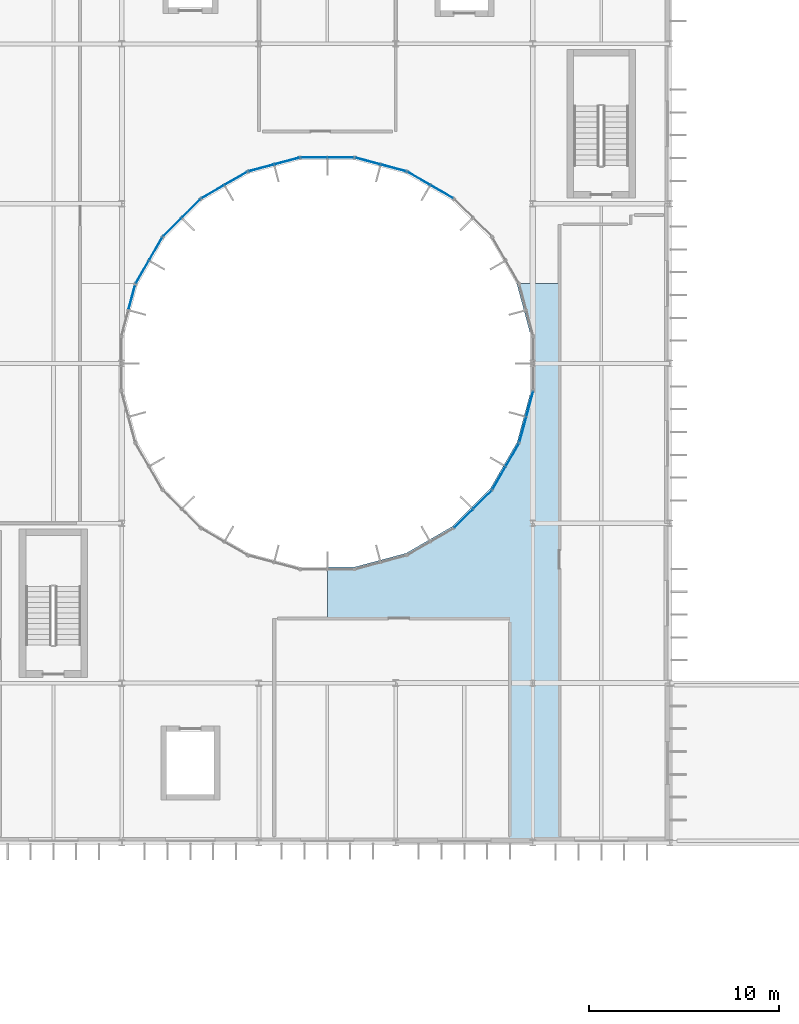
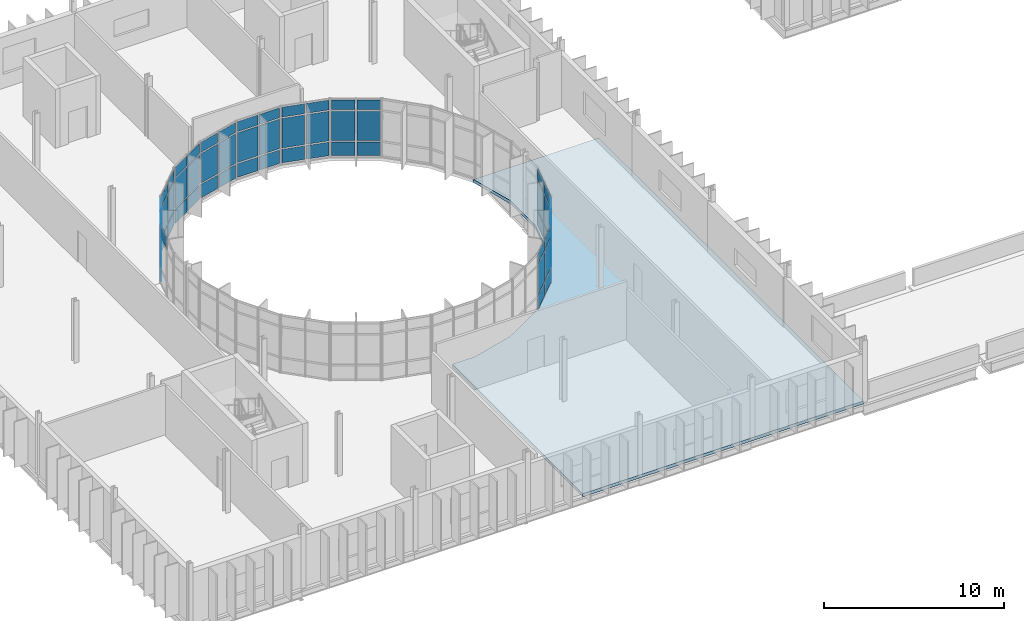
# One storey, part 34 of 61: 61 plates, 1 slab, 11 elements without a shape of their own.
"""IFC4 building model written with IfcOpenShell, lengths in metres."""

from ifc_helpers import new_model, si_unit, direction, frame, origin, origin_2d, place, context, subcontext, project, spatial, polyline, rectangle, outline, extrude, material, layer, layer_set, type_object, element, aggregate, save


model = new_model("IFC4")

# Units and contexts
model_context = context("Model", 3, precision=1e-05, world=origin(), true_north=direction((0.0, 1.0)))
body_context = subcontext(model_context, "Body", "Model", "MODEL_VIEW")
ifc_project = project(units=[si_unit("LENGTHUNIT", "METRE"), si_unit("AREAUNIT", "SQUARE_METRE"), si_unit("VOLUMEUNIT", "CUBIC_METRE"), si_unit("PLANEANGLEUNIT", "RADIAN"), si_unit("MASSUNIT", "GRAM", prefix="KILO")], contexts=[model_context])

# Site, building, storey
site_placement = place(None, origin())
site = spatial("IfcSite", under=ifc_project, at=site_placement, CompositionType="ELEMENT")
building_placement = place(site_placement, origin())
building = spatial("IfcBuilding", under=site, at=building_placement, Name="Qelthora Terrace Specialist Clinic", CompositionType="ELEMENT")
storey_placement = place(building_placement, frame((0.0, 0.0, 13.199951171875)))
storey = spatial("IfcBuildingStorey", under=building, at=storey_placement, Name="L03", CompositionType="ELEMENT", Elevation=13.199951171875)

# Curtain wall, plates
ifc_material_1 = material(Name="Aluminium anodized bronze", Category="aluminium")
curtain_wall_type = type_object("IfcCurtainWallType", Name="CW-CRTW-UPP", PredefinedType="NOTDEFINED", material=ifc_material_1)
curtain_wall_1_placement = place(storey_placement, origin())
curtain_wall_1 = element("IfcCurtainWall", 1, at=curtain_wall_1_placement, inside=storey, type_object=curtain_wall_type, Name="Curtain wall CW-CW-L03-04", PredefinedType="NOTDEFINED")
ifc_material_2 = material(Name="Low-E triple-silver insulating glass", Category="glass")
ifc_layer_1 = layer(ifc_material_2, 0.035888671875)
ifc_layer_set_1 = layer_set([ifc_layer_1], Name="Low-E triple-silver insulating glass")
plate_type = type_object("IfcPlateType", Name="CWP-IGU-36", PredefinedType="CURTAIN_PANEL", material=ifc_layer_set_1)
plate_1_placement = place(storey_placement, frame((31.22412109375, 93.024658203125, 0.085205078125), z_axis=(0.0, 0.0, 1.0), x_axis=(-0.866025403784, 0.5, 0.0)))
plate_1 = element("IfcPlate", 2, at=plate_1_placement, type_object=plate_type, Name="CW-CW-L03-04 glazed panel 1", PredefinedType="CURTAIN_PANEL", context=body_context, shape_type="SweptSolid", body=[
    extrude(rectangle(XDim=1.3095703125, YDim=0.035888671875, at=origin_2d()), origin(), (0.0, 0.0, 1.0), 0.919921875),
])
plate_2_placement = place(storey_placement, frame((31.22412109375, 93.024658203125, 1.09521484375), z_axis=(0.0, 0.0, 1.0), x_axis=(-0.866025403784, 0.5, 0.0)))
plate_2 = element("IfcPlate", 3, at=plate_2_placement, type_object=plate_type, Name="CW-CW-L03-04 glazed panel 2", PredefinedType="CURTAIN_PANEL", context=body_context, shape_type="SweptSolid", body=[
    extrude(rectangle(XDim=1.3095703125, YDim=0.035888671875, at=origin_2d()), origin(), (0.0, 0.0, 1.0), 2.0048828125),
])
plate_3_placement = place(storey_placement, frame((31.22412109375, 93.024658203125, 3.190185546875), z_axis=(0.0, 0.0, 1.0), x_axis=(-0.866025403784, 0.5, 0.0)))
plate_3 = element("IfcPlate", 4, at=plate_3_placement, type_object=plate_type, Name="CW-CW-L03-04 glazed panel 3", PredefinedType="CURTAIN_PANEL", context=body_context, shape_type="SweptSolid", body=[
    extrude(rectangle(XDim=1.3095703125, YDim=0.035888671875, at=origin_2d()), origin(), (0.0, 0.0, 1.0), 0.669921875),
])
plate_4_placement = place(storey_placement, frame((30.00341796875, 93.7294921875, 0.085205078125), z_axis=(0.0, 0.0, 1.0), x_axis=(-0.866025403784, 0.5, 0.0)))
plate_4 = element("IfcPlate", 5, at=plate_4_placement, type_object=plate_type, Name="CW-CW-L03-04 glazed panel 4", PredefinedType="CURTAIN_PANEL", context=body_context, shape_type="SweptSolid", body=[
    extrude(rectangle(XDim=1.3095703125, YDim=0.035888671875, at=origin_2d()), origin(), (0.0, 0.0, 1.0), 0.919921875),
])
plate_5_placement = place(storey_placement, frame((30.00341796875, 93.7294921875, 1.09521484375), z_axis=(0.0, 0.0, 1.0), x_axis=(-0.866025403784, 0.5, 0.0)))
plate_5 = element("IfcPlate", 6, at=plate_5_placement, type_object=plate_type, Name="CW-CW-L03-04 glazed panel 5", PredefinedType="CURTAIN_PANEL", context=body_context, shape_type="SweptSolid", body=[
    extrude(rectangle(XDim=1.3095703125, YDim=0.035888671875, at=origin_2d()), origin(), (0.0, 0.0, 1.0), 2.0048828125),
])
plate_6_placement = place(storey_placement, frame((30.00341796875, 93.7294921875, 3.190185546875), z_axis=(0.0, 0.0, 1.0), x_axis=(-0.866025403784, 0.5, 0.0)))
plate_6 = element("IfcPlate", 7, at=plate_6_placement, type_object=plate_type, Name="CW-CW-L03-04 glazed panel 6", PredefinedType="CURTAIN_PANEL", context=body_context, shape_type="SweptSolid", body=[
    extrude(rectangle(XDim=1.3095703125, YDim=0.035888671875, at=origin_2d()), origin(), (0.0, 0.0, 1.0), 0.669921875),
])
aggregate(curtain_wall_1, [plate_1, plate_2, plate_3, plate_4, plate_5, plate_6])

curtain_wall_2_placement = place(storey_placement, origin())
curtain_wall_2 = element("IfcCurtainWall", 8, at=curtain_wall_2_placement, inside=storey, type_object=curtain_wall_type, Name="Curtain wall CW-CW-L03-05", PredefinedType="NOTDEFINED")
plate_7_placement = place(storey_placement, frame((28.68310546875, 94.276123046875, 0.085205078125), z_axis=(0.0, 0.0, 1.0), x_axis=(-0.965925374563, 0.258820730961, 0.0)))
plate_7 = element("IfcPlate", 9, at=plate_7_placement, type_object=plate_type, Name="CW-CW-L03-05 glazed panel 1", PredefinedType="CURTAIN_PANEL", context=body_context, shape_type="SweptSolid", body=[
    extrude(rectangle(XDim=1.3095703125, YDim=0.035888671875, at=origin_2d()), origin(), (0.0, 0.0, 1.0), 0.919921875),
])
plate_8_placement = place(storey_placement, frame((28.68310546875, 94.276123046875, 1.09521484375), z_axis=(0.0, 0.0, 1.0), x_axis=(-0.965925374563, 0.258820730961, 0.0)))
plate_8 = element("IfcPlate", 10, at=plate_8_placement, type_object=plate_type, Name="CW-CW-L03-05 glazed panel 2", PredefinedType="CURTAIN_PANEL", context=body_context, shape_type="SweptSolid", body=[
    extrude(rectangle(XDim=1.3095703125, YDim=0.035888671875, at=origin_2d()), origin(), (0.0, 0.0, 1.0), 2.0048828125),
])
plate_9_placement = place(storey_placement, frame((28.68310546875, 94.276123046875, 3.190185546875), z_axis=(0.0, 0.0, 1.0), x_axis=(-0.965925374563, 0.258820730961, 0.0)))
plate_9 = element("IfcPlate", 11, at=plate_9_placement, type_object=plate_type, Name="CW-CW-L03-05 glazed panel 3", PredefinedType="CURTAIN_PANEL", context=body_context, shape_type="SweptSolid", body=[
    extrude(rectangle(XDim=1.3095703125, YDim=0.035888671875, at=origin_2d()), origin(), (0.0, 0.0, 1.0), 0.669921875),
])
plate_10_placement = place(storey_placement, frame((27.321533203125, 94.64111328125, 0.085205078125), z_axis=(0.0, 0.0, 1.0), x_axis=(-0.965925374563, 0.258820730961, 0.0)))
plate_10 = element("IfcPlate", 12, at=plate_10_placement, type_object=plate_type, Name="CW-CW-L03-05 glazed panel 4", PredefinedType="CURTAIN_PANEL", context=body_context, shape_type="SweptSolid", body=[
    extrude(rectangle(XDim=1.3095703125, YDim=0.035888671875, at=origin_2d()), origin(), (0.0, 0.0, 1.0), 0.919921875),
])
plate_11_placement = place(storey_placement, frame((27.321533203125, 94.64111328125, 1.09521484375), z_axis=(0.0, 0.0, 1.0), x_axis=(-0.965925374563, 0.258820730961, 0.0)))
plate_11 = element("IfcPlate", 13, at=plate_11_placement, type_object=plate_type, Name="CW-CW-L03-05 glazed panel 5", PredefinedType="CURTAIN_PANEL", context=body_context, shape_type="SweptSolid", body=[
    extrude(rectangle(XDim=1.3095703125, YDim=0.035888671875, at=origin_2d()), origin(), (0.0, 0.0, 1.0), 2.0048828125),
])
plate_12_placement = place(storey_placement, frame((27.321533203125, 94.64111328125, 3.190185546875), z_axis=(0.0, 0.0, 1.0), x_axis=(-0.965925374563, 0.258820730961, 0.0)))
plate_12 = element("IfcPlate", 14, at=plate_12_placement, type_object=plate_type, Name="CW-CW-L03-05 glazed panel 6", PredefinedType="CURTAIN_PANEL", context=body_context, shape_type="SweptSolid", body=[
    extrude(rectangle(XDim=1.3095703125, YDim=0.035888671875, at=origin_2d()), origin(), (0.0, 0.0, 1.0), 0.669921875),
])
aggregate(curtain_wall_2, [plate_7, plate_8, plate_9, plate_10, plate_11, plate_12])

curtain_wall_3_placement = place(storey_placement, origin())
curtain_wall_3 = element("IfcCurtainWall", 15, at=curtain_wall_3_placement, inside=storey, type_object=curtain_wall_type, Name="Curtain wall CW-CW-L03-06", PredefinedType="NOTDEFINED")
plate_13_placement = place(storey_placement, frame((25.90478515625, 94.82763671875, 0.085205078125), z_axis=(0.0, 0.0, 1.0), x_axis=(-1.0, 0.0, 0.0)))
plate_13 = element("IfcPlate", 16, at=plate_13_placement, type_object=plate_type, Name="CW-CW-L03-06 glazed panel 1", PredefinedType="CURTAIN_PANEL", context=body_context, shape_type="SweptSolid", body=[
    extrude(rectangle(XDim=1.3095703125, YDim=0.035888671875, at=origin_2d()), origin(), (0.0, 0.0, 1.0), 0.919921875),
])
plate_14_placement = place(storey_placement, frame((25.90478515625, 94.82763671875, 1.09521484375), z_axis=(0.0, 0.0, 1.0), x_axis=(-1.0, 0.0, 0.0)))
plate_14 = element("IfcPlate", 17, at=plate_14_placement, type_object=plate_type, Name="CW-CW-L03-06 glazed panel 2", PredefinedType="CURTAIN_PANEL", context=body_context, shape_type="SweptSolid", body=[
    extrude(rectangle(XDim=1.3095703125, YDim=0.035888671875, at=origin_2d()), origin(), (0.0, 0.0, 1.0), 2.0048828125),
])
plate_15_placement = place(storey_placement, frame((25.90478515625, 94.82763671875, 3.190185546875), z_axis=(0.0, 0.0, 1.0), x_axis=(-1.0, 0.0, 0.0)))
plate_15 = element("IfcPlate", 18, at=plate_15_placement, type_object=plate_type, Name="CW-CW-L03-06 glazed panel 3", PredefinedType="CURTAIN_PANEL", context=body_context, shape_type="SweptSolid", body=[
    extrude(rectangle(XDim=1.3095703125, YDim=0.035888671875, at=origin_2d()), origin(), (0.0, 0.0, 1.0), 0.669921875),
])
plate_16_placement = place(storey_placement, frame((24.4951171875, 94.82763671875, 0.085205078125), z_axis=(0.0, 0.0, 1.0), x_axis=(-1.0, 0.0, 0.0)))
plate_16 = element("IfcPlate", 19, at=plate_16_placement, type_object=plate_type, Name="CW-CW-L03-06 glazed panel 4", PredefinedType="CURTAIN_PANEL", context=body_context, shape_type="SweptSolid", body=[
    extrude(rectangle(XDim=1.3095703125, YDim=0.035888671875, at=origin_2d()), origin(), (0.0, 0.0, 1.0), 0.919921875),
])
plate_17_placement = place(storey_placement, frame((24.4951171875, 94.82763671875, 1.09521484375), z_axis=(0.0, 0.0, 1.0), x_axis=(-1.0, 0.0, 0.0)))
plate_17 = element("IfcPlate", 20, at=plate_17_placement, type_object=plate_type, Name="CW-CW-L03-06 glazed panel 5", PredefinedType="CURTAIN_PANEL", context=body_context, shape_type="SweptSolid", body=[
    extrude(rectangle(XDim=1.3095703125, YDim=0.035888671875, at=origin_2d()), origin(), (0.0, 0.0, 1.0), 2.0048828125),
])
plate_18_placement = place(storey_placement, frame((24.4951171875, 94.82763671875, 3.190185546875), z_axis=(0.0, 0.0, 1.0), x_axis=(-1.0, 0.0, 0.0)))
plate_18 = element("IfcPlate", 21, at=plate_18_placement, type_object=plate_type, Name="CW-CW-L03-06 glazed panel 6", PredefinedType="CURTAIN_PANEL", context=body_context, shape_type="SweptSolid", body=[
    extrude(rectangle(XDim=1.3095703125, YDim=0.035888671875, at=origin_2d()), origin(), (0.0, 0.0, 1.0), 0.669921875),
])
aggregate(curtain_wall_3, [plate_13, plate_14, plate_15, plate_16, plate_17, plate_18])

curtain_wall_4_placement = place(storey_placement, origin())
curtain_wall_4 = element("IfcCurtainWall", 22, at=curtain_wall_4_placement, inside=storey, type_object=curtain_wall_type, Name="Curtain wall CW-CW-L03-07", PredefinedType="NOTDEFINED")
plate_19_placement = place(storey_placement, frame((23.078369140625, 94.64111328125, 0.085205078125), z_axis=(0.0, 0.0, 1.0), x_axis=(-0.965925374563, -0.258820730961, 0.0)))
plate_19 = element("IfcPlate", 23, at=plate_19_placement, type_object=plate_type, Name="CW-CW-L03-07 glazed panel 1", PredefinedType="CURTAIN_PANEL", context=body_context, shape_type="SweptSolid", body=[
    extrude(rectangle(XDim=1.3095703125, YDim=0.035888671875, at=origin_2d()), origin(), (0.0, 0.0, 1.0), 0.919921875),
])
plate_20_placement = place(storey_placement, frame((23.078369140625, 94.64111328125, 1.09521484375), z_axis=(0.0, 0.0, 1.0), x_axis=(-0.965925374563, -0.258820730961, 0.0)))
plate_20 = element("IfcPlate", 24, at=plate_20_placement, type_object=plate_type, Name="CW-CW-L03-07 glazed panel 2", PredefinedType="CURTAIN_PANEL", context=body_context, shape_type="SweptSolid", body=[
    extrude(rectangle(XDim=1.3095703125, YDim=0.035888671875, at=origin_2d()), origin(), (0.0, 0.0, 1.0), 2.0048828125),
])
plate_21_placement = place(storey_placement, frame((23.078369140625, 94.64111328125, 3.190185546875), z_axis=(0.0, 0.0, 1.0), x_axis=(-0.965925374563, -0.258820730961, 0.0)))
plate_21 = element("IfcPlate", 25, at=plate_21_placement, type_object=plate_type, Name="CW-CW-L03-07 glazed panel 3", PredefinedType="CURTAIN_PANEL", context=body_context, shape_type="SweptSolid", body=[
    extrude(rectangle(XDim=1.3095703125, YDim=0.035888671875, at=origin_2d()), origin(), (0.0, 0.0, 1.0), 0.669921875),
])
plate_22_placement = place(storey_placement, frame((21.716796875, 94.276123046875, 0.085205078125), z_axis=(0.0, 0.0, 1.0), x_axis=(-0.965925374563, -0.258820730961, 0.0)))
plate_22 = element("IfcPlate", 26, at=plate_22_placement, type_object=plate_type, Name="CW-CW-L03-07 glazed panel 4", PredefinedType="CURTAIN_PANEL", context=body_context, shape_type="SweptSolid", body=[
    extrude(rectangle(XDim=1.3095703125, YDim=0.035888671875, at=origin_2d()), origin(), (0.0, 0.0, 1.0), 0.919921875),
])
plate_23_placement = place(storey_placement, frame((21.716796875, 94.276123046875, 1.09521484375), z_axis=(0.0, 0.0, 1.0), x_axis=(-0.965925374563, -0.258820730961, 0.0)))
plate_23 = element("IfcPlate", 27, at=plate_23_placement, type_object=plate_type, Name="CW-CW-L03-07 glazed panel 5", PredefinedType="CURTAIN_PANEL", context=body_context, shape_type="SweptSolid", body=[
    extrude(rectangle(XDim=1.3095703125, YDim=0.035888671875, at=origin_2d()), origin(), (0.0, 0.0, 1.0), 2.0048828125),
])
plate_24_placement = place(storey_placement, frame((21.716796875, 94.276123046875, 3.190185546875), z_axis=(0.0, 0.0, 1.0), x_axis=(-0.965925374563, -0.258820730961, 0.0)))
plate_24 = element("IfcPlate", 28, at=plate_24_placement, type_object=plate_type, Name="CW-CW-L03-07 glazed panel 6", PredefinedType="CURTAIN_PANEL", context=body_context, shape_type="SweptSolid", body=[
    extrude(rectangle(XDim=1.3095703125, YDim=0.035888671875, at=origin_2d()), origin(), (0.0, 0.0, 1.0), 0.669921875),
])
aggregate(curtain_wall_4, [plate_19, plate_20, plate_21, plate_22, plate_23, plate_24])

curtain_wall_5_placement = place(storey_placement, origin())
curtain_wall_5 = element("IfcCurtainWall", 29, at=curtain_wall_5_placement, inside=storey, type_object=curtain_wall_type, Name="Curtain wall CW-CW-L03-08", PredefinedType="NOTDEFINED")
plate_25_placement = place(storey_placement, frame((20.396728515625, 93.7294921875, 0.085205078125), z_axis=(0.0, 0.0, 1.0), x_axis=(-0.866025403784, -0.5, 0.0)))
plate_25 = element("IfcPlate", 30, at=plate_25_placement, type_object=plate_type, Name="CW-CW-L03-08 glazed panel 1", PredefinedType="CURTAIN_PANEL", context=body_context, shape_type="SweptSolid", body=[
    extrude(rectangle(XDim=1.3095703125, YDim=0.035888671875, at=origin_2d()), origin(), (0.0, 0.0, 1.0), 0.919921875),
])
plate_26_placement = place(storey_placement, frame((20.396728515625, 93.7294921875, 1.09521484375), z_axis=(0.0, 0.0, 1.0), x_axis=(-0.866025403784, -0.5, 0.0)))
plate_26 = element("IfcPlate", 31, at=plate_26_placement, type_object=plate_type, Name="CW-CW-L03-08 glazed panel 2", PredefinedType="CURTAIN_PANEL", context=body_context, shape_type="SweptSolid", body=[
    extrude(rectangle(XDim=1.3095703125, YDim=0.035888671875, at=origin_2d()), origin(), (0.0, 0.0, 1.0), 2.0048828125),
])
plate_27_placement = place(storey_placement, frame((20.396728515625, 93.7294921875, 3.190185546875), z_axis=(0.0, 0.0, 1.0), x_axis=(-0.866025403784, -0.5, 0.0)))
plate_27 = element("IfcPlate", 32, at=plate_27_placement, type_object=plate_type, Name="CW-CW-L03-08 glazed panel 3", PredefinedType="CURTAIN_PANEL", context=body_context, shape_type="SweptSolid", body=[
    extrude(rectangle(XDim=1.3095703125, YDim=0.035888671875, at=origin_2d()), origin(), (0.0, 0.0, 1.0), 0.669921875),
])
plate_28_placement = place(storey_placement, frame((19.17578125, 93.024658203125, 0.085205078125), z_axis=(0.0, 0.0, 1.0), x_axis=(-0.866025403784, -0.5, 0.0)))
plate_28 = element("IfcPlate", 33, at=plate_28_placement, type_object=plate_type, Name="CW-CW-L03-08 glazed panel 4", PredefinedType="CURTAIN_PANEL", context=body_context, shape_type="SweptSolid", body=[
    extrude(rectangle(XDim=1.3095703125, YDim=0.035888671875, at=origin_2d()), origin(), (0.0, 0.0, 1.0), 0.919921875),
])
plate_29_placement = place(storey_placement, frame((19.17578125, 93.024658203125, 1.09521484375), z_axis=(0.0, 0.0, 1.0), x_axis=(-0.866025403784, -0.5, 0.0)))
plate_29 = element("IfcPlate", 34, at=plate_29_placement, type_object=plate_type, Name="CW-CW-L03-08 glazed panel 5", PredefinedType="CURTAIN_PANEL", context=body_context, shape_type="SweptSolid", body=[
    extrude(rectangle(XDim=1.3095703125, YDim=0.035888671875, at=origin_2d()), origin(), (0.0, 0.0, 1.0), 2.0048828125),
])
plate_30_placement = place(storey_placement, frame((19.17578125, 93.024658203125, 3.190185546875), z_axis=(0.0, 0.0, 1.0), x_axis=(-0.866025403784, -0.5, 0.0)))
plate_30 = element("IfcPlate", 35, at=plate_30_placement, type_object=plate_type, Name="CW-CW-L03-08 glazed panel 6", PredefinedType="CURTAIN_PANEL", context=body_context, shape_type="SweptSolid", body=[
    extrude(rectangle(XDim=1.3095703125, YDim=0.035888671875, at=origin_2d()), origin(), (0.0, 0.0, 1.0), 0.669921875),
])
aggregate(curtain_wall_5, [plate_25, plate_26, plate_27, plate_28, plate_29, plate_30])

curtain_wall_6_placement = place(storey_placement, origin())
curtain_wall_6 = element("IfcCurtainWall", 36, at=curtain_wall_6_placement, inside=storey, type_object=curtain_wall_type, Name="Curtain wall CW-CW-L03-09", PredefinedType="NOTDEFINED")
plate_31_placement = place(storey_placement, frame((18.042236328125, 92.15478515625, 0.085205078125), z_axis=(0.0, 0.0, 1.0), x_axis=(-0.707106781187, -0.707106781187, 0.0)))
plate_31 = element("IfcPlate", 37, at=plate_31_placement, type_object=plate_type, Name="CW-CW-L03-09 glazed panel 1", PredefinedType="CURTAIN_PANEL", context=body_context, shape_type="SweptSolid", body=[
    extrude(rectangle(XDim=1.3095703125, YDim=0.035888671875, at=origin_2d()), origin(), (0.0, 0.0, 1.0), 0.919921875),
])
plate_32_placement = place(storey_placement, frame((18.042236328125, 92.15478515625, 1.09521484375), z_axis=(0.0, 0.0, 1.0), x_axis=(-0.707106781187, -0.707106781187, 0.0)))
plate_32 = element("IfcPlate", 38, at=plate_32_placement, type_object=plate_type, Name="CW-CW-L03-09 glazed panel 2", PredefinedType="CURTAIN_PANEL", context=body_context, shape_type="SweptSolid", body=[
    extrude(rectangle(XDim=1.3095703125, YDim=0.035888671875, at=origin_2d()), origin(), (0.0, 0.0, 1.0), 2.0048828125),
])
plate_33_placement = place(storey_placement, frame((18.042236328125, 92.15478515625, 3.190185546875), z_axis=(0.0, 0.0, 1.0), x_axis=(-0.707106781187, -0.707106781187, 0.0)))
plate_33 = element("IfcPlate", 39, at=plate_33_placement, type_object=plate_type, Name="CW-CW-L03-09 glazed panel 3", PredefinedType="CURTAIN_PANEL", context=body_context, shape_type="SweptSolid", body=[
    extrude(rectangle(XDim=1.3095703125, YDim=0.035888671875, at=origin_2d()), origin(), (0.0, 0.0, 1.0), 0.669921875),
])
plate_34_placement = place(storey_placement, frame((17.04541015625, 91.157958984375, 0.085205078125), z_axis=(0.0, 0.0, 1.0), x_axis=(-0.707106781187, -0.707106781187, 0.0)))
plate_34 = element("IfcPlate", 40, at=plate_34_placement, type_object=plate_type, Name="CW-CW-L03-09 glazed panel 4", PredefinedType="CURTAIN_PANEL", context=body_context, shape_type="SweptSolid", body=[
    extrude(rectangle(XDim=1.3095703125, YDim=0.035888671875, at=origin_2d()), origin(), (0.0, 0.0, 1.0), 0.919921875),
])
plate_35_placement = place(storey_placement, frame((17.04541015625, 91.157958984375, 1.09521484375), z_axis=(0.0, 0.0, 1.0), x_axis=(-0.707106781187, -0.707106781187, 0.0)))
plate_35 = element("IfcPlate", 41, at=plate_35_placement, type_object=plate_type, Name="CW-CW-L03-09 glazed panel 5", PredefinedType="CURTAIN_PANEL", context=body_context, shape_type="SweptSolid", body=[
    extrude(rectangle(XDim=1.3095703125, YDim=0.035888671875, at=origin_2d()), origin(), (0.0, 0.0, 1.0), 2.0048828125),
])
plate_36_placement = place(storey_placement, frame((17.04541015625, 91.157958984375, 3.190185546875), z_axis=(0.0, 0.0, 1.0), x_axis=(-0.707106781187, -0.707106781187, 0.0)))
plate_36 = element("IfcPlate", 42, at=plate_36_placement, type_object=plate_type, Name="CW-CW-L03-09 glazed panel 6", PredefinedType="CURTAIN_PANEL", context=body_context, shape_type="SweptSolid", body=[
    extrude(rectangle(XDim=1.3095703125, YDim=0.035888671875, at=origin_2d()), origin(), (0.0, 0.0, 1.0), 0.669921875),
])
aggregate(curtain_wall_6, [plate_31, plate_32, plate_33, plate_34, plate_35, plate_36])

curtain_wall_7_placement = place(storey_placement, origin())
curtain_wall_7 = element("IfcCurtainWall", 43, at=curtain_wall_7_placement, inside=storey, type_object=curtain_wall_type, Name="Curtain wall CW-CW-L03-10", PredefinedType="NOTDEFINED")
plate_37_placement = place(storey_placement, frame((16.175537109375, 90.024169921875, 0.085205078125), z_axis=(0.0, 0.0, 1.0), x_axis=(-0.5, -0.866025403784, 0.0)))
plate_37 = element("IfcPlate", 44, at=plate_37_placement, type_object=plate_type, Name="CW-CW-L03-10 glazed panel 1", PredefinedType="CURTAIN_PANEL", context=body_context, shape_type="SweptSolid", body=[
    extrude(rectangle(XDim=1.3095703125, YDim=0.035888671875, at=origin_2d()), origin(), (0.0, 0.0, 1.0), 0.919921875),
])
plate_38_placement = place(storey_placement, frame((16.175537109375, 90.024169921875, 1.09521484375), z_axis=(0.0, 0.0, 1.0), x_axis=(-0.5, -0.866025403784, 0.0)))
plate_38 = element("IfcPlate", 45, at=plate_38_placement, type_object=plate_type, Name="CW-CW-L03-10 glazed panel 2", PredefinedType="CURTAIN_PANEL", context=body_context, shape_type="SweptSolid", body=[
    extrude(rectangle(XDim=1.3095703125, YDim=0.035888671875, at=origin_2d()), origin(), (0.0, 0.0, 1.0), 2.0048828125),
])
plate_39_placement = place(storey_placement, frame((16.175537109375, 90.024169921875, 3.190185546875), z_axis=(0.0, 0.0, 1.0), x_axis=(-0.5, -0.866025403784, 0.0)))
plate_39 = element("IfcPlate", 46, at=plate_39_placement, type_object=plate_type, Name="CW-CW-L03-10 glazed panel 3", PredefinedType="CURTAIN_PANEL", context=body_context, shape_type="SweptSolid", body=[
    extrude(rectangle(XDim=1.3095703125, YDim=0.035888671875, at=origin_2d()), origin(), (0.0, 0.0, 1.0), 0.669921875),
])
plate_40_placement = place(storey_placement, frame((15.470703125, 88.803466796875, 0.085205078125), z_axis=(0.0, 0.0, 1.0), x_axis=(-0.5, -0.866025403784, 0.0)))
plate_40 = element("IfcPlate", 47, at=plate_40_placement, type_object=plate_type, Name="CW-CW-L03-10 glazed panel 4", PredefinedType="CURTAIN_PANEL", context=body_context, shape_type="SweptSolid", body=[
    extrude(rectangle(XDim=1.3095703125, YDim=0.035888671875, at=origin_2d()), origin(), (0.0, 0.0, 1.0), 0.919921875),
])
plate_41_placement = place(storey_placement, frame((15.470703125, 88.803466796875, 1.09521484375), z_axis=(0.0, 0.0, 1.0), x_axis=(-0.5, -0.866025403784, 0.0)))
plate_41 = element("IfcPlate", 48, at=plate_41_placement, type_object=plate_type, Name="CW-CW-L03-10 glazed panel 5", PredefinedType="CURTAIN_PANEL", context=body_context, shape_type="SweptSolid", body=[
    extrude(rectangle(XDim=1.3095703125, YDim=0.035888671875, at=origin_2d()), origin(), (0.0, 0.0, 1.0), 2.0048828125),
])
plate_42_placement = place(storey_placement, frame((15.470703125, 88.803466796875, 3.190185546875), z_axis=(0.0, 0.0, 1.0), x_axis=(-0.5, -0.866025403784, 0.0)))
plate_42 = element("IfcPlate", 49, at=plate_42_placement, type_object=plate_type, Name="CW-CW-L03-10 glazed panel 6", PredefinedType="CURTAIN_PANEL", context=body_context, shape_type="SweptSolid", body=[
    extrude(rectangle(XDim=1.3095703125, YDim=0.035888671875, at=origin_2d()), origin(), (0.0, 0.0, 1.0), 0.669921875),
])
aggregate(curtain_wall_7, [plate_37, plate_38, plate_39, plate_40, plate_41, plate_42])

# Curtain wall, plate
curtain_wall_8_placement = place(storey_placement, origin())
curtain_wall_8 = element("IfcCurtainWall", 50, at=curtain_wall_8_placement, inside=storey, type_object=curtain_wall_type, Name="Curtain wall CW-CW-L03-11", PredefinedType="NOTDEFINED")
plate_43_placement = place(storey_placement, frame((14.923828125, 87.483154296875, 3.190185546875), z_axis=(0.0, 0.0, 1.0), x_axis=(-0.258820730961, -0.965925374563, 0.0)))
plate_43 = element("IfcPlate", 51, at=plate_43_placement, type_object=plate_type, Name="CW-CW-L03-11 glazed panel 3", PredefinedType="CURTAIN_PANEL", context=body_context, shape_type="SweptSolid", body=[
    extrude(rectangle(XDim=1.3095703125, YDim=0.035888671875, at=origin_2d()), origin(), (0.0, 0.0, 1.0), 0.669921875),
])
aggregate(curtain_wall_8, [plate_43])

# Curtain wall, plates
curtain_wall_9_placement = place(storey_placement, origin())
curtain_wall_9 = element("IfcCurtainWall", 52, at=curtain_wall_9_placement, inside=storey, type_object=curtain_wall_type, Name="Curtain wall CW-CW-L03-21", PredefinedType="NOTDEFINED")
plate_44_placement = place(storey_placement, frame((32.35791015625, 75.84521484375, 0.085205078125), z_axis=(0.0, 0.0, 1.0), x_axis=(0.707106781187, 0.707106781187, 0.0)))
plate_44 = element("IfcPlate", 53, at=plate_44_placement, type_object=plate_type, Name="CW-CW-L03-21 glazed panel 1", PredefinedType="CURTAIN_PANEL", context=body_context, shape_type="SweptSolid", body=[
    extrude(rectangle(XDim=1.3095703125, YDim=0.035888671875, at=origin_2d()), origin(), (0.0, 0.0, 1.0), 0.919921875),
])
plate_45_placement = place(storey_placement, frame((32.35791015625, 75.84521484375, 1.09521484375), z_axis=(0.0, 0.0, 1.0), x_axis=(0.707106781187, 0.707106781187, 0.0)))
plate_45 = element("IfcPlate", 54, at=plate_45_placement, type_object=plate_type, Name="CW-CW-L03-21 glazed panel 2", PredefinedType="CURTAIN_PANEL", context=body_context, shape_type="SweptSolid", body=[
    extrude(rectangle(XDim=1.3095703125, YDim=0.035888671875, at=origin_2d()), origin(), (0.0, 0.0, 1.0), 2.0048828125),
])
plate_46_placement = place(storey_placement, frame((32.35791015625, 75.84521484375, 3.190185546875), z_axis=(0.0, 0.0, 1.0), x_axis=(0.707106781187, 0.707106781187, 0.0)))
plate_46 = element("IfcPlate", 55, at=plate_46_placement, type_object=plate_type, Name="CW-CW-L03-21 glazed panel 3", PredefinedType="CURTAIN_PANEL", context=body_context, shape_type="SweptSolid", body=[
    extrude(rectangle(XDim=1.3095703125, YDim=0.035888671875, at=origin_2d()), origin(), (0.0, 0.0, 1.0), 0.669921875),
])
plate_47_placement = place(storey_placement, frame((33.354736328125, 76.842041015625, 0.085205078125), z_axis=(0.0, 0.0, 1.0), x_axis=(0.707106781187, 0.707106781187, 0.0)))
plate_47 = element("IfcPlate", 56, at=plate_47_placement, type_object=plate_type, Name="CW-CW-L03-21 glazed panel 4", PredefinedType="CURTAIN_PANEL", context=body_context, shape_type="SweptSolid", body=[
    extrude(rectangle(XDim=1.3095703125, YDim=0.035888671875, at=origin_2d()), origin(), (0.0, 0.0, 1.0), 0.919921875),
])
plate_48_placement = place(storey_placement, frame((33.354736328125, 76.842041015625, 1.09521484375), z_axis=(0.0, 0.0, 1.0), x_axis=(0.707106781187, 0.707106781187, 0.0)))
plate_48 = element("IfcPlate", 57, at=plate_48_placement, type_object=plate_type, Name="CW-CW-L03-21 glazed panel 5", PredefinedType="CURTAIN_PANEL", context=body_context, shape_type="SweptSolid", body=[
    extrude(rectangle(XDim=1.3095703125, YDim=0.035888671875, at=origin_2d()), origin(), (0.0, 0.0, 1.0), 2.0048828125),
])
plate_49_placement = place(storey_placement, frame((33.354736328125, 76.842041015625, 3.190185546875), z_axis=(0.0, 0.0, 1.0), x_axis=(0.707106781187, 0.707106781187, 0.0)))
plate_49 = element("IfcPlate", 58, at=plate_49_placement, type_object=plate_type, Name="CW-CW-L03-21 glazed panel 6", PredefinedType="CURTAIN_PANEL", context=body_context, shape_type="SweptSolid", body=[
    extrude(rectangle(XDim=1.3095703125, YDim=0.035888671875, at=origin_2d()), origin(), (0.0, 0.0, 1.0), 0.669921875),
])
aggregate(curtain_wall_9, [plate_44, plate_45, plate_46, plate_47, plate_48, plate_49])

curtain_wall_10_placement = place(storey_placement, origin())
curtain_wall_10 = element("IfcCurtainWall", 59, at=curtain_wall_10_placement, inside=storey, type_object=curtain_wall_type, Name="Curtain wall CW-CW-L03-22", PredefinedType="NOTDEFINED")
plate_50_placement = place(storey_placement, frame((34.224609375, 77.975830078125, 0.085205078125), z_axis=(0.0, 0.0, 1.0), x_axis=(0.5, 0.866025403784, 0.0)))
plate_50 = element("IfcPlate", 60, at=plate_50_placement, type_object=plate_type, Name="CW-CW-L03-22 glazed panel 1", PredefinedType="CURTAIN_PANEL", context=body_context, shape_type="SweptSolid", body=[
    extrude(rectangle(XDim=1.3095703125, YDim=0.035888671875, at=origin_2d()), origin(), (0.0, 0.0, 1.0), 0.919921875),
])
plate_51_placement = place(storey_placement, frame((34.224609375, 77.975830078125, 1.09521484375), z_axis=(0.0, 0.0, 1.0), x_axis=(0.5, 0.866025403784, 0.0)))
plate_51 = element("IfcPlate", 61, at=plate_51_placement, type_object=plate_type, Name="CW-CW-L03-22 glazed panel 2", PredefinedType="CURTAIN_PANEL", context=body_context, shape_type="SweptSolid", body=[
    extrude(rectangle(XDim=1.3095703125, YDim=0.035888671875, at=origin_2d()), origin(), (0.0, 0.0, 1.0), 2.0048828125),
])
plate_52_placement = place(storey_placement, frame((34.224609375, 77.975830078125, 3.190185546875), z_axis=(0.0, 0.0, 1.0), x_axis=(0.5, 0.866025403784, 0.0)))
plate_52 = element("IfcPlate", 62, at=plate_52_placement, type_object=plate_type, Name="CW-CW-L03-22 glazed panel 3", PredefinedType="CURTAIN_PANEL", context=body_context, shape_type="SweptSolid", body=[
    extrude(rectangle(XDim=1.3095703125, YDim=0.035888671875, at=origin_2d()), origin(), (0.0, 0.0, 1.0), 0.669921875),
])
plate_53_placement = place(storey_placement, frame((34.929443359375, 79.196533203125, 0.085205078125), z_axis=(0.0, 0.0, 1.0), x_axis=(0.5, 0.866025403784, 0.0)))
plate_53 = element("IfcPlate", 63, at=plate_53_placement, type_object=plate_type, Name="CW-CW-L03-22 glazed panel 4", PredefinedType="CURTAIN_PANEL", context=body_context, shape_type="SweptSolid", body=[
    extrude(rectangle(XDim=1.3095703125, YDim=0.035888671875, at=origin_2d()), origin(), (0.0, 0.0, 1.0), 0.919921875),
])
plate_54_placement = place(storey_placement, frame((34.929443359375, 79.196533203125, 1.09521484375), z_axis=(0.0, 0.0, 1.0), x_axis=(0.5, 0.866025403784, 0.0)))
plate_54 = element("IfcPlate", 64, at=plate_54_placement, type_object=plate_type, Name="CW-CW-L03-22 glazed panel 5", PredefinedType="CURTAIN_PANEL", context=body_context, shape_type="SweptSolid", body=[
    extrude(rectangle(XDim=1.3095703125, YDim=0.035888671875, at=origin_2d()), origin(), (0.0, 0.0, 1.0), 2.0048828125),
])
plate_55_placement = place(storey_placement, frame((34.929443359375, 79.196533203125, 3.190185546875), z_axis=(0.0, 0.0, 1.0), x_axis=(0.5, 0.866025403784, 0.0)))
plate_55 = element("IfcPlate", 65, at=plate_55_placement, type_object=plate_type, Name="CW-CW-L03-22 glazed panel 6", PredefinedType="CURTAIN_PANEL", context=body_context, shape_type="SweptSolid", body=[
    extrude(rectangle(XDim=1.3095703125, YDim=0.035888671875, at=origin_2d()), origin(), (0.0, 0.0, 1.0), 0.669921875),
])
aggregate(curtain_wall_10, [plate_50, plate_51, plate_52, plate_53, plate_54, plate_55])

curtain_wall_11_placement = place(storey_placement, origin())
curtain_wall_11 = element("IfcCurtainWall", 66, at=curtain_wall_11_placement, inside=storey, type_object=curtain_wall_type, Name="Curtain wall CW-CW-L03-23", PredefinedType="NOTDEFINED")
plate_56_placement = place(storey_placement, frame((35.476318359375, 80.516845703125, 0.085205078125), z_axis=(0.0, 0.0, 1.0), x_axis=(0.258820730961, 0.965925374563, 0.0)))
plate_56 = element("IfcPlate", 67, at=plate_56_placement, type_object=plate_type, Name="CW-CW-L03-23 glazed panel 1", PredefinedType="CURTAIN_PANEL", context=body_context, shape_type="SweptSolid", body=[
    extrude(rectangle(XDim=1.3095703125, YDim=0.035888671875, at=origin_2d()), origin(), (0.0, 0.0, 1.0), 0.919921875),
])
plate_57_placement = place(storey_placement, frame((35.476318359375, 80.516845703125, 1.09521484375), z_axis=(0.0, 0.0, 1.0), x_axis=(0.258820730961, 0.965925374563, 0.0)))
plate_57 = element("IfcPlate", 68, at=plate_57_placement, type_object=plate_type, Name="CW-CW-L03-23 glazed panel 2", PredefinedType="CURTAIN_PANEL", context=body_context, shape_type="SweptSolid", body=[
    extrude(rectangle(XDim=1.3095703125, YDim=0.035888671875, at=origin_2d()), origin(), (0.0, 0.0, 1.0), 2.0048828125),
])
plate_58_placement = place(storey_placement, frame((35.476318359375, 80.516845703125, 3.190185546875), z_axis=(0.0, 0.0, 1.0), x_axis=(0.258820730961, 0.965925374563, 0.0)))
plate_58 = element("IfcPlate", 69, at=plate_58_placement, type_object=plate_type, Name="CW-CW-L03-23 glazed panel 3", PredefinedType="CURTAIN_PANEL", context=body_context, shape_type="SweptSolid", body=[
    extrude(rectangle(XDim=1.3095703125, YDim=0.035888671875, at=origin_2d()), origin(), (0.0, 0.0, 1.0), 0.669921875),
])
plate_59_placement = place(storey_placement, frame((35.841064453125, 81.87841796875, 0.085205078125), z_axis=(0.0, 0.0, 1.0), x_axis=(0.258820730961, 0.965925374563, 0.0)))
plate_59 = element("IfcPlate", 70, at=plate_59_placement, type_object=plate_type, Name="CW-CW-L03-23 glazed panel 4", PredefinedType="CURTAIN_PANEL", context=body_context, shape_type="SweptSolid", body=[
    extrude(rectangle(XDim=1.3095703125, YDim=0.035888671875, at=origin_2d()), origin(), (0.0, 0.0, 1.0), 0.919921875),
])
plate_60_placement = place(storey_placement, frame((35.841064453125, 81.87841796875, 1.09521484375), z_axis=(0.0, 0.0, 1.0), x_axis=(0.258820730961, 0.965925374563, 0.0)))
plate_60 = element("IfcPlate", 71, at=plate_60_placement, type_object=plate_type, Name="CW-CW-L03-23 glazed panel 5", PredefinedType="CURTAIN_PANEL", context=body_context, shape_type="SweptSolid", body=[
    extrude(rectangle(XDim=1.3095703125, YDim=0.035888671875, at=origin_2d()), origin(), (0.0, 0.0, 1.0), 2.0048828125),
])
plate_61_placement = place(storey_placement, frame((35.841064453125, 81.87841796875, 3.190185546875), z_axis=(0.0, 0.0, 1.0), x_axis=(0.258820730961, 0.965925374563, 0.0)))
plate_61 = element("IfcPlate", 72, at=plate_61_placement, type_object=plate_type, Name="CW-CW-L03-23 glazed panel 6", PredefinedType="CURTAIN_PANEL", context=body_context, shape_type="SweptSolid", body=[
    extrude(rectangle(XDim=1.3095703125, YDim=0.035888671875, at=origin_2d()), origin(), (0.0, 0.0, 1.0), 0.669921875),
])
aggregate(curtain_wall_11, [plate_56, plate_57, plate_58, plate_59, plate_60, plate_61])

# Slab
ifc_material_3 = material(Name="Concrete C30/37", Category="concrete")
ifc_layer_2 = layer(ifc_material_3, 0.2099609375)
ifc_layer_set_2 = layer_set([ifc_layer_2], Name="Concrete C30/37")
slab_type = type_object("IfcSlabType", Name="SLB-FLR-210-C30", PredefinedType="FLOOR", material=ifc_layer_set_2)
slab_placement = place(storey_placement, frame((0.0, 0.0, -0.2099609375)))
element("IfcSlab", 73, at=slab_placement, inside=storey, type_object=slab_type, Name="L03 V5 slab SLB-L03-V5-2A", PredefinedType="FLOOR", context=body_context, shape_type="SweptSolid", body=[
    extrude(outline(polyline([(43.199951171875, 58.800048828125), (25.199951171875, 58.800048828125), (25.199951171875, 73.29248046875), (26.609619140625, 73.29248046875), (29.3330078125, 74.022216796875), (31.774658203125, 75.431884765625), (33.768310546875, 77.42529296875), (35.177978515625, 79.866943359375), (35.90771484375, 82.59033203125), (35.90771484375, 85.40966796875), (35.177978515625, 88.133056640625), (35.13916015625, 88.199951171875), (43.199951171875, 88.199951171875), (43.199951171875, 58.800048828125)])), origin(), (0.0, 0.0, 1.0), 0.2099609375),
])

save(model, "model.ifc")
